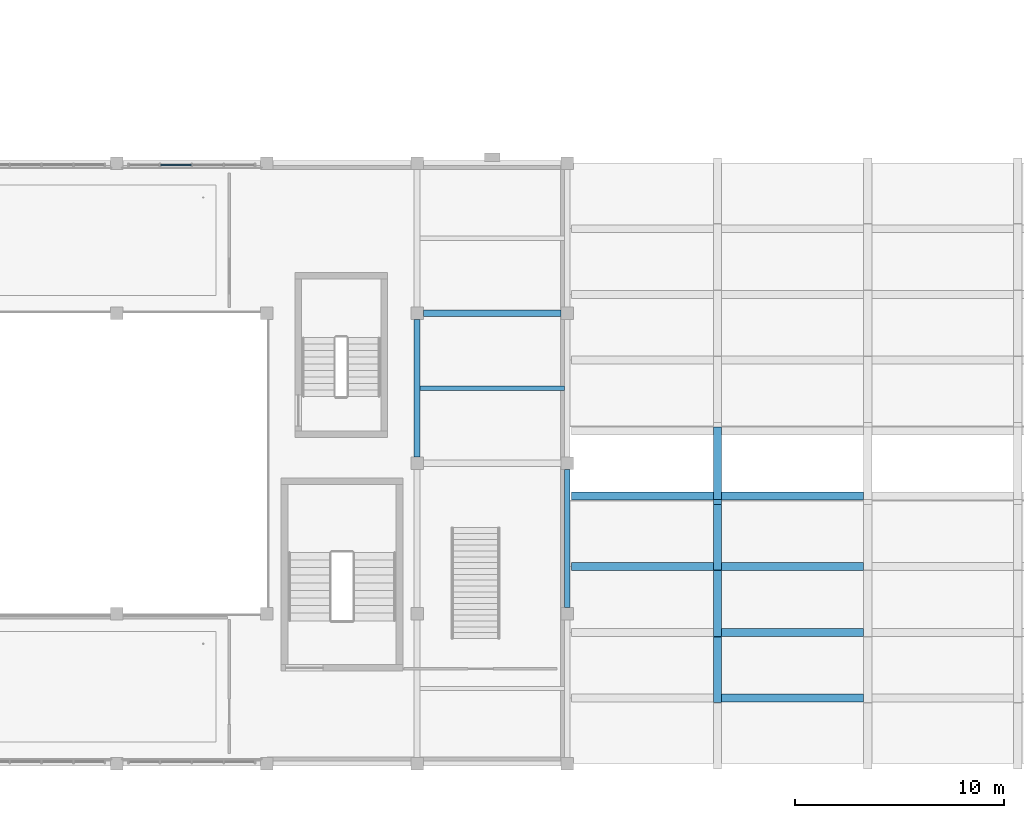
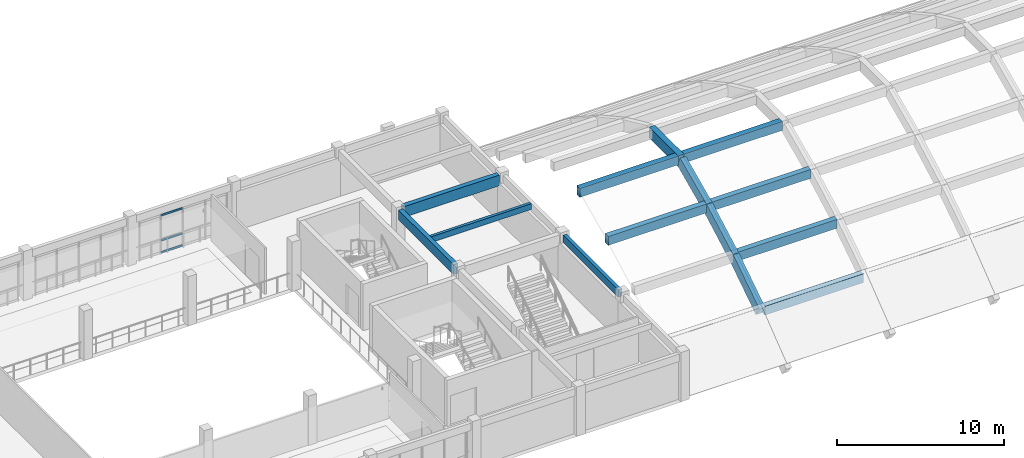
# One storey, part 14 of 85: 14 beams, 3 members, 1 element without a shape of its own.
"""IFC4 building model written with IfcOpenShell, lengths in metres."""

from ifc_helpers import new_model, si_unit, direction, frame, origin, origin_2d, place, context, subcontext, project, spatial, rectangle, extrude, material, material_profile, profile_set, type_object, element, aggregate, save


model = new_model("IFC4")

# Units and contexts
model_context = context("Model", 3, precision=1e-05, world=origin(), true_north=direction((0.0, 1.0)))
body_context = subcontext(model_context, "Body", "Model", "MODEL_VIEW")
ifc_project = project(units=[si_unit("LENGTHUNIT", "METRE"), si_unit("AREAUNIT", "SQUARE_METRE"), si_unit("VOLUMEUNIT", "CUBIC_METRE"), si_unit("PLANEANGLEUNIT", "RADIAN"), si_unit("MASSUNIT", "GRAM", prefix="KILO")], contexts=[model_context])

# Site, building, storey
site_placement = place(None, origin())
site = spatial("IfcSite", under=ifc_project, at=site_placement, CompositionType="ELEMENT")
building_placement = place(site_placement, origin())
building = spatial("IfcBuilding", under=site, at=building_placement, Name="Alvorim Cloister Faculty of Sciences", CompositionType="ELEMENT")
storey_placement = place(building_placement, frame((0.0, 0.0, 8.550048828125)))
storey = spatial("IfcBuildingStorey", under=building, at=storey_placement, Name="L02", CompositionType="ELEMENT", Elevation=8.550048828125)

# Beams
ifc_material_1 = material(Name="Concrete C40", Category="concrete")
ifc_material_profile_1 = material_profile(ifc_material_1, rectangle(XDim=0.39990234375, YDim=0.800048828125, at=origin_2d()), Name="RC40-ARCH-400x800")
ifc_profile_set_1 = profile_set([ifc_material_profile_1], Name="Concrete C40")
beam_type_1 = type_object("IfcBeamType", Name="BM-ARCH-400x800", PredefinedType="BEAM", material=ifc_profile_set_1)
beam_1_placement = place(storey_placement, frame((122.39990234375, 3.14990234375, 1.924072265625), z_axis=(0.0, 0.836362754786, 0.548176378921), x_axis=(-1.0, 0.0, 0.0)))
element("IfcBeam", 1, at=beam_1_placement, inside=storey, type_object=beam_type_1, Name="SH-V1 Pointed Arch Rib Chord BM-2266", PredefinedType="BEAM", context=body_context, shape_type="SweptSolid", body=[
    extrude(rectangle(XDim=0.39990234375, YDim=0.800048828125, at=origin_2d()), origin(), (0.0, 0.0, 1.0), 3.7666015625),
])
beam_2_placement = place(storey_placement, frame((122.39990234375, 6.300048828125, 3.98876953125), z_axis=(0.0, 0.875903252887, 0.48248677866), x_axis=(-1.0, 0.0, 0.0)))
element("IfcBeam", 2, at=beam_2_placement, inside=storey, type_object=beam_type_1, Name="SH-V1 Pointed Arch Rib Chord BM-2267", PredefinedType="BEAM", context=body_context, shape_type="SweptSolid", body=[
    extrude(rectangle(XDim=0.39990234375, YDim=0.800048828125, at=origin_2d()), origin(), (0.0, 0.0, 1.0), 3.59619140625),
])
beam_3_placement = place(storey_placement, frame((122.39990234375, 9.449951171875, 5.723876953125), z_axis=(0.0, 0.909008111331, 0.416778422587), x_axis=(-1.0, 0.0, 0.0)))
element("IfcBeam", 3, at=beam_3_placement, inside=storey, type_object=beam_type_1, Name="SH-V1 Pointed Arch Rib Chord BM-2268", PredefinedType="BEAM", context=body_context, shape_type="SweptSolid", body=[
    extrude(rectangle(XDim=0.39990234375, YDim=0.800048828125, at=origin_2d()), origin(), (0.0, 0.0, 1.0), 3.465576171875),
])
beam_4_placement = place(storey_placement, frame((122.39990234375, 12.659912109375, 7.1640625), z_axis=(0.0, 1.0, 0.0), x_axis=(-1.0, 0.0, 0.0)))
element("IfcBeam", 4, at=beam_4_placement, inside=storey, type_object=beam_type_1, Name="L02 SH-V1 Arch Crown Tie BM-2273", PredefinedType="BEAM", context=body_context, shape_type="SweptSolid", body=[
    extrude(rectangle(XDim=0.39990234375, YDim=0.800048828125, at=origin_2d()), origin(), (0.0, 0.0, 1.0), 3.47998046875),
])
ifc_material_2 = material(Name="Glulam GL32h", Category="wood")
ifc_material_profile_2 = material_profile(ifc_material_2, rectangle(XDim=0.300048828125, YDim=0.719970703125, at=origin_2d()), Name="GL32-BM-300x720")
ifc_profile_set_2 = profile_set([ifc_material_profile_2], Name="Glulam GL32h")
beam_type_2 = type_object("IfcBeamType", Name="BM-GL-300x720", PredefinedType="BEAM", material=ifc_profile_set_2)
beam_5_placement = place(storey_placement, frame((108.0, 14.699951171875, 3.030029296875), z_axis=(0.0, 1.0, 0.0), x_axis=(-1.0, 0.0, 0.0)))
element("IfcBeam", 5, at=beam_5_placement, inside=storey, type_object=beam_type_2, Name="L02 Primary Girder BM-1431", PredefinedType="BEAM", context=body_context, shape_type="SweptSolid", body=[
    extrude(rectangle(XDim=0.300048828125, YDim=0.719970703125, at=origin_2d()), origin(), (0.0, 0.0, 1.0), 6.60009765625),
])
ifc_material_profile_3 = material_profile(ifc_material_2, rectangle(XDim=0.320068359375, YDim=0.780029296875, at=origin_2d()), Name="GL32-BM-320x780")
ifc_profile_set_3 = profile_set([ifc_material_profile_3], Name="Glulam GL32h")
beam_type_3 = type_object("IfcBeamType", Name="BM-GL-320x780", PredefinedType="BEAM", material=ifc_profile_set_3)
beam_6_placement = place(storey_placement, frame((108.300048828125, 21.60009765625, 3.0), z_axis=(1.0, 0.0, 0.0), x_axis=(0.0, 1.0, 0.0)))
element("IfcBeam", 6, at=beam_6_placement, inside=storey, type_object=beam_type_3, Name="L02 Primary Beam BM-1278", PredefinedType="BEAM", context=body_context, shape_type="SweptSolid", body=[
    extrude(rectangle(XDim=0.320068359375, YDim=0.780029296875, at=origin_2d()), origin(), (0.0, 0.0, 1.0), 6.599853515625),
])
ifc_material_3 = material(Name="Glulam GL28h", Category="wood")
ifc_material_profile_4 = material_profile(ifc_material_3, rectangle(XDim=0.199951171875, YDim=0.419921875, at=origin_2d()), Name="GL28-JST-200x420")
ifc_profile_set_4 = profile_set([ifc_material_profile_4], Name="Glulam GL28h")
beam_type_4 = type_object("IfcBeamType", Name="BM-JST-GL-200x420", PredefinedType="JOIST", material=ifc_profile_set_4)
beam_7_placement = place(storey_placement, frame((108.14990234375, 18.0, 3.179931640625), z_axis=(1.0, 0.0, 0.0), x_axis=(0.0, 1.0, 0.0)))
element("IfcBeam", 7, at=beam_7_placement, inside=storey, type_object=beam_type_4, Name="L02 Secondary Floor Joist BM-1498", PredefinedType="JOIST", context=body_context, shape_type="SweptSolid", body=[
    extrude(rectangle(XDim=0.199951171875, YDim=0.419921875, at=origin_2d()), origin(), (0.0, 0.0, 1.0), 6.93017578125),
])
ifc_material_profile_5 = material_profile(ifc_material_1, rectangle(XDim=0.3798828125, YDim=0.64990234375, at=origin_2d()), Name="RC40-BM-380x650")
ifc_profile_set_5 = profile_set([ifc_material_profile_5], Name="Concrete C40")
beam_type_5 = type_object("IfcBeamType", Name="BM-RC-380x650", PredefinedType="BEAM", material=ifc_profile_set_5)
for number, where, z_axis, x_axis, name in (
    (8, (122.60009765625, 3.14990234375, 1.98486328125), (1.0, 0.0, 0.0), (0.0, 1.0, 0.0), "L02 SH-V1 Vault Stringer BM-2329"),
    (9, (122.60009765625, 6.300048828125, 4.049560546875), (1.0, 0.0, 0.0), (0.0, 1.0, 0.0), "L02 SH-V1 Vault Stringer BM-2336"),
):
    element("IfcBeam", number, at=place(storey_placement, frame(where, z_axis=z_axis, x_axis=x_axis)), inside=storey, type_object=beam_type_5, Name=name, PredefinedType="BEAM", context=body_context, shape_type="SweptSolid", body=[
        extrude(rectangle(XDim=0.3798828125, YDim=0.64990234375, at=origin_2d()), origin(), (0.0, 0.0, 1.0), 6.7998046875),
    ])
beam_8_placement = place(storey_placement, frame((115.39990234375, 9.449951171875, 5.784912109375), z_axis=(1.0, 0.0, 0.0), x_axis=(0.0, 1.0, 0.0)))
element("IfcBeam", 10, at=beam_8_placement, inside=storey, type_object=beam_type_5, Name="L02 SH-V1 Vault Stringer BM-2342", PredefinedType="BEAM", context=body_context, shape_type="SweptSolid", body=[
    extrude(rectangle(XDim=0.3798828125, YDim=0.64990234375, at=origin_2d()), origin(), (0.0, 0.0, 1.0), 6.800048828125),
])
beam_9_placement = place(storey_placement, frame((122.60009765625, 9.449951171875, 5.784912109375), z_axis=(1.0, 0.0, 0.0), x_axis=(0.0, 1.0, 0.0)))
element("IfcBeam", 11, at=beam_9_placement, inside=storey, type_object=beam_type_5, Name="L02 SH-V1 Vault Stringer BM-2343", PredefinedType="BEAM", context=body_context, shape_type="SweptSolid", body=[
    extrude(rectangle(XDim=0.3798828125, YDim=0.64990234375, at=origin_2d()), origin(), (0.0, 0.0, 1.0), 6.7998046875),
])
beam_10_placement = place(storey_placement, frame((115.39990234375, 12.840087890625, 7.2392578125), z_axis=(1.0, 0.0, 0.0), x_axis=(0.0, 1.0, 0.0)))
element("IfcBeam", 12, at=beam_10_placement, inside=storey, type_object=beam_type_5, Name="L02 SH-V1 Lantern Curb Beam BM-2370", PredefinedType="BEAM", context=body_context, shape_type="SweptSolid", body=[
    extrude(rectangle(XDim=0.3798828125, YDim=0.64990234375, at=origin_2d()), origin(), (0.0, 0.0, 1.0), 6.800048828125),
])
beam_11_placement = place(storey_placement, frame((122.60009765625, 12.840087890625, 7.2392578125), z_axis=(1.0, 0.0, 0.0), x_axis=(0.0, 1.0, 0.0)))
element("IfcBeam", 13, at=beam_11_placement, inside=storey, type_object=beam_type_5, Name="L02 SH-V1 Lantern Curb Beam BM-2371", PredefinedType="BEAM", context=body_context, shape_type="SweptSolid", body=[
    extrude(rectangle(XDim=0.3798828125, YDim=0.64990234375, at=origin_2d()), origin(), (0.0, 0.0, 1.0), 6.7998046875),
])
ifc_material_profile_6 = material_profile(ifc_material_3, rectangle(XDim=0.239990234375, YDim=0.5400390625, at=origin_2d()), Name="GL28-SPD-240x540")
ifc_profile_set_6 = profile_set([ifc_material_profile_6], Name="Glulam GL28h")
beam_type_6 = type_object("IfcBeamType", Name="BM-SPD-GL-240x540", PredefinedType="SPANDREL", material=ifc_profile_set_6)
beam_12_placement = place(storey_placement, frame((115.199951171875, 7.5, 3.119873046875), z_axis=(0.0, 1.0, 0.0), x_axis=(-1.0, 0.0, 0.0)))
element("IfcBeam", 14, at=beam_12_placement, inside=storey, type_object=beam_type_6, Name="L02 Primary Girder BM-1434", PredefinedType="SPANDREL", context=body_context, shape_type="SweptSolid", body=[
    extrude(rectangle(XDim=0.239990234375, YDim=0.5400390625, at=origin_2d()), origin(), (0.0, 0.0, 1.0), 6.60009765625),
])

# Curtain wall, members
ifc_material_4 = material(Name="Aluminium and Low-E Glass Curtain Wall", Category="aluminium")
curtain_wall_type = type_object("IfcCurtainWallType", Name="CW-GLZ-6120x2850", PredefinedType="USERDEFINED", material=ifc_material_4)
curtain_wall_placement = place(storey_placement, origin())
curtain_wall = element("IfcCurtainWall", 15, at=curtain_wall_placement, inside=storey, type_object=curtain_wall_type, Name="L02 Entrance and Atrium Glazed Curtain Wall CW-0099", ObjectType="UNITISED CURTAIN WALL", PredefinedType="USERDEFINED")
ifc_material_5 = material(Name="Aluminium Alloy 6063-T6", Category="aluminium")
ifc_material_profile_7 = material_profile(ifc_material_5, rectangle(XDim=0.06494140625, YDim=0.139892578125, at=origin_2d()), Name="ALU-TRN-65x140")
ifc_profile_set_7 = profile_set([ifc_material_profile_7], Name="Aluminium Alloy 6063-T6")
member_type = type_object("IfcMemberType", Name="CW-TRN-65x140", PredefinedType="USERDEFINED", material=ifc_profile_set_7)
member_1_placement = place(storey_placement, frame((95.702392578125, 28.7099609375, 0.070068359375), z_axis=(1.0, 0.0, 0.0), x_axis=(0.0, 1.0, 0.0)))
member_1 = element("IfcMember", 16, at=member_1_placement, type_object=member_type, Name="CW-10 transom 2.1", ObjectType="TRANSOM", PredefinedType="USERDEFINED", context=body_context, shape_type="SweptSolid", body=[
    extrude(rectangle(XDim=0.06494140625, YDim=0.139892578125, at=origin_2d()), origin(), (0.0, 0.0, 1.0), 1.465087890625),
])
member_2_placement = place(storey_placement, frame((95.702392578125, 28.7099609375, 0.949951171875), z_axis=(1.0, 0.0, 0.0), x_axis=(0.0, 1.0, 0.0)))
member_2 = element("IfcMember", 17, at=member_2_placement, type_object=member_type, Name="CW-10 transom 2.2", ObjectType="TRANSOM", PredefinedType="USERDEFINED", context=body_context, shape_type="SweptSolid", body=[
    extrude(rectangle(XDim=0.06494140625, YDim=0.139892578125, at=origin_2d()), origin(), (0.0, 0.0, 1.0), 1.465087890625),
])
member_3_placement = place(storey_placement, frame((95.702392578125, 28.7099609375, 2.780029296875), z_axis=(1.0, 0.0, 0.0), x_axis=(0.0, 1.0, 0.0)))
member_3 = element("IfcMember", 18, at=member_3_placement, type_object=member_type, Name="CW-10 transom 2.3", ObjectType="TRANSOM", PredefinedType="USERDEFINED", context=body_context, shape_type="SweptSolid", body=[
    extrude(rectangle(XDim=0.06494140625, YDim=0.139892578125, at=origin_2d()), origin(), (0.0, 0.0, 1.0), 1.465087890625),
])
aggregate(curtain_wall, [member_1, member_2, member_3])

save(model, "model.ifc")
